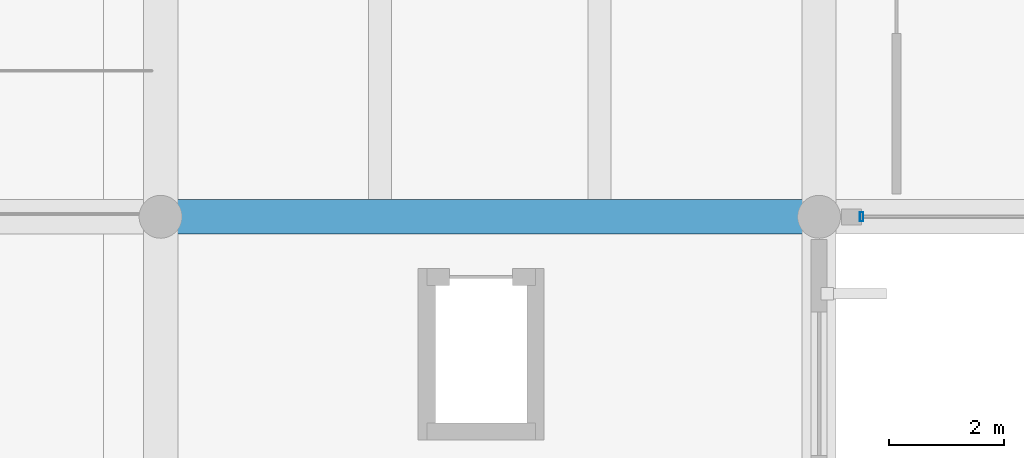
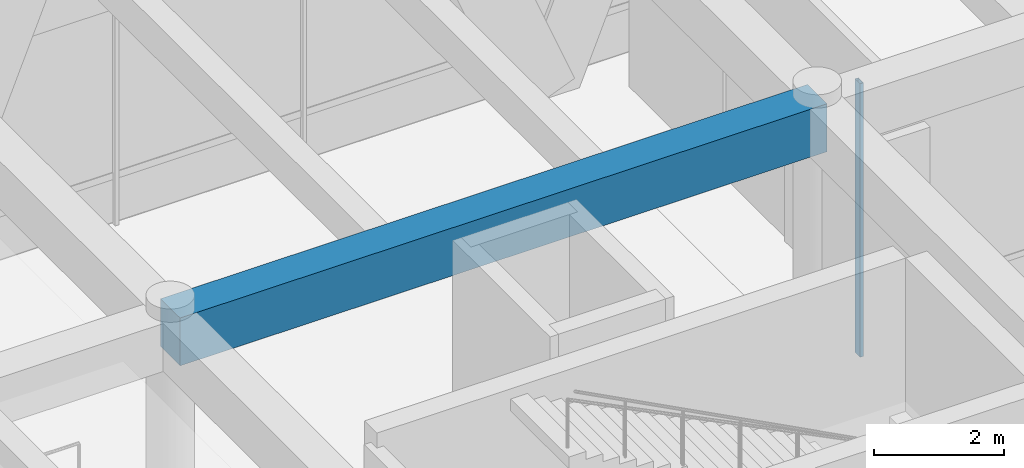
# One storey, part 44 of 148: 1 beam, 1 member, 1 element without a shape of its own.
"""IFC4 building model written with IfcOpenShell, lengths in metres."""

from ifc_helpers import new_model, si_unit, direction, frame, origin, origin_2d, place, context, subcontext, project, spatial, rectangle, hollow_rectangle, extrude, material, material_profile, profile_set, type_object, element, aggregate, save


model = new_model("IFC4")

# Units and contexts
model_context = context("Model", 3, precision=1e-05, world=origin(), true_north=direction((0.0, 1.0)))
body_context = subcontext(model_context, "Body", "Model", "MODEL_VIEW")
ifc_project = project(units=[si_unit("LENGTHUNIT", "METRE"), si_unit("AREAUNIT", "SQUARE_METRE"), si_unit("VOLUMEUNIT", "CUBIC_METRE"), si_unit("PLANEANGLEUNIT", "RADIAN"), si_unit("MASSUNIT", "GRAM", prefix="KILO")], contexts=[model_context])

# Site, building, storey
site_placement = place(None, origin())
site = spatial("IfcSite", under=ifc_project, at=site_placement, CompositionType="ELEMENT")
building_placement = place(site_placement, origin())
building = spatial("IfcBuilding", under=site, at=building_placement, Name="Ologun Quay Terminus", CompositionType="ELEMENT")
storey_placement = place(building_placement, frame((0.0, 0.0, 8.39990234375)))
storey = spatial("IfcBuildingStorey", under=building, at=storey_placement, Name="L02", CompositionType="ELEMENT", Elevation=8.39990234375)

# Curtain wall, member
ifc_material_1 = material(Name="Aluminium 6063-T6", Category="aluminium")
curtain_wall_type = type_object("IfcCurtainWallType", Name="Concourse Departure Curtain Wall 10700x4950", PredefinedType="USERDEFINED", material=ifc_material_1)
curtain_wall_placement = place(storey_placement, origin())
curtain_wall = element("IfcCurtainWall", 1, at=curtain_wall_placement, inside=storey, type_object=curtain_wall_type, Name="CW-05 Curtain Wall CW-L02-030", ObjectType="UNITISED CURTAIN WALL", PredefinedType="USERDEFINED")
ifc_material_2 = material(Name="Aluminium 6063-T6", Category="aluminium")
ifc_material_profile_1 = material_profile(ifc_material_2, hollow_rectangle(XDim=0.06005859375, YDim=0.159912109375, WallThickness=0.00390625, at=origin_2d()), Name="ALU 160x60x4")
ifc_profile_set_1 = profile_set([ifc_material_profile_1], Name="Aluminium 6063-T6")
member_type = type_object("IfcMemberType", Name="Curtain Wall Standard Mullion 160x65", PredefinedType="MULLION", material=ifc_profile_set_1)
member_placement = place(storey_placement, frame((127.2451171875, 27.199951171875, 0.0), z_axis=(0.0, 0.0, 1.0), x_axis=(1.0, 0.0, 0.0)))
member = element("IfcMember", 2, at=member_placement, type_object=member_type, Name="CW-L02-030 Mullion 1", PredefinedType="MULLION", context=body_context, shape_type="SweptSolid", body=[
    extrude(hollow_rectangle(XDim=0.06005859375, YDim=0.159912109375, WallThickness=0.00390625, at=origin_2d()), origin(), (0.0, 0.0, 1.0), 5.14013671875),
])
aggregate(curtain_wall, [member])

# Beam
ifc_material_3 = material(Name="Concrete C40/50", Category="concrete")
ifc_material_profile_2 = material_profile(ifc_material_3, rectangle(XDim=0.60009765625, YDim=0.89990234375, at=origin_2d()), Name="RC 600x900")
ifc_profile_set_2 = profile_set([ifc_material_profile_2], Name="Concrete C40/50")
beam_type = type_object("IfcBeamType", Name="Station Frame Girder 600x900", PredefinedType="BEAM", material=ifc_profile_set_2)
beam_placement = place(storey_placement, frame((115.0, 27.199951171875, 4.7001953125), z_axis=(1.0, 0.0, 0.0), x_axis=(0.0, 1.0, 0.0)))
element("IfcBeam", 3, at=beam_placement, inside=storey, type_object=beam_type, Name="B3 Beam 11/D L02", PredefinedType="BEAM", context=body_context, shape_type="SweptSolid", body=[
    extrude(rectangle(XDim=0.60009765625, YDim=0.89990234375, at=origin_2d()), origin(), (0.0, 0.0, 1.0), 11.5),
])

save(model, "model.ifc")
